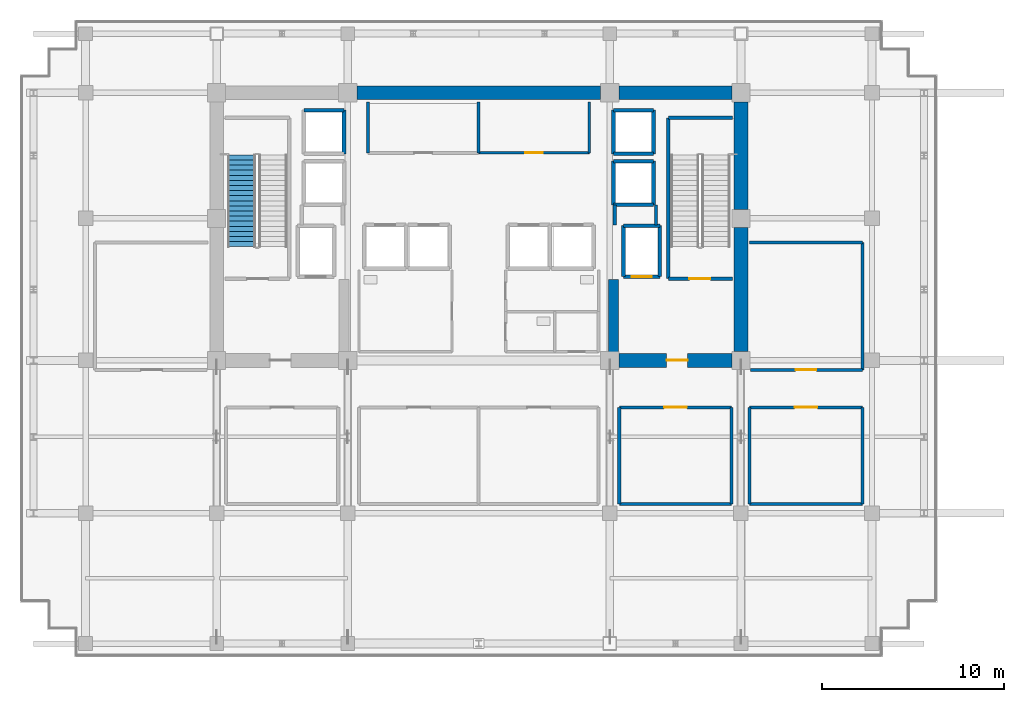
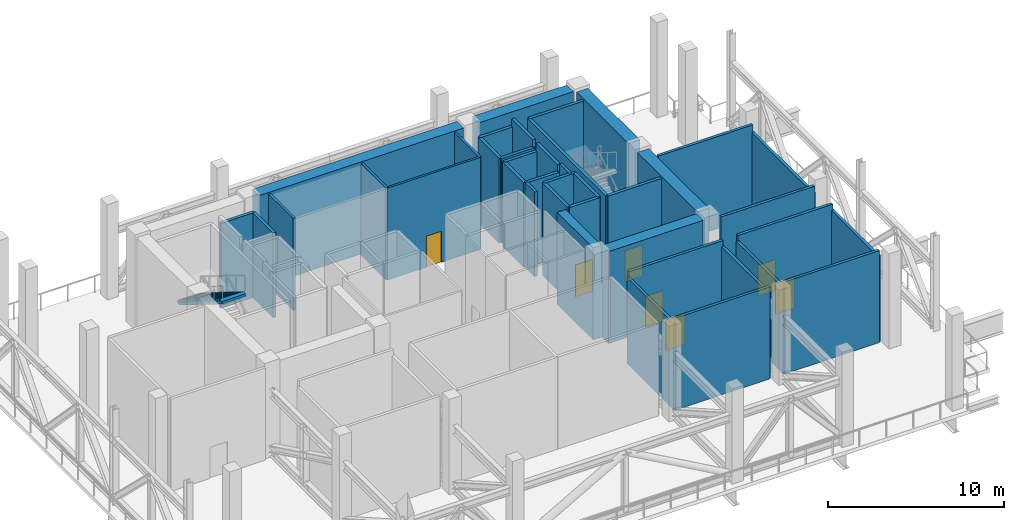
# One storey, part 7 of 13: 40 walls, 7 doors, 1 stair flight, 7 openings, 1 element without a shape of its own.
"""IFC4 building model written with IfcOpenShell, lengths in metres."""

from ifc_helpers import new_model, si_unit, direction, frame, frame_2d, origin, place, context, subcontext, project, spatial, polyline, rectangle, outline, extrude, source, transform, mapped, material, layer, layer_set, type_object, element, fill, aggregate, save


model = new_model("IFC4")

# Units and contexts
model_context = context("Model", 3, precision=1e-05, world=origin(), true_north=direction((0.0, 1.0)))
body_context = subcontext(model_context, "Body", "Model", "MODEL_VIEW")
ifc_project = project(units=[si_unit("LENGTHUNIT", "METRE"), si_unit("AREAUNIT", "SQUARE_METRE"), si_unit("VOLUMEUNIT", "CUBIC_METRE"), si_unit("PLANEANGLEUNIT", "RADIAN"), si_unit("MASSUNIT", "GRAM", prefix="KILO")], contexts=[model_context])

# Site, building, storey
site_placement = place(None, origin())
site = spatial("IfcSite", under=ifc_project, at=site_placement, CompositionType="ELEMENT")
building_placement = place(site_placement, origin())
building = spatial("IfcBuilding", under=site, at=building_placement, Name="Zarnakvel Exchange Tower", CompositionType="ELEMENT")
storey_placement = place(building_placement, frame((0.0, 0.0, 139.60009765625)))
storey = spatial("IfcBuildingStorey", under=building, at=storey_placement, Name="L39", CompositionType="ELEMENT", Elevation=139.60009765625)

# Walls
ifc_material_1 = material(Name="Concrete C60/75", Category="concrete")
ifc_layer_1 = layer(ifc_material_1, 0.75)
ifc_layer_set_1 = layer_set([ifc_layer_1], Name="Concrete C60/75")
wall_type_1 = type_object("IfcWallType", Name="CW-C3", PredefinedType="SHEAR", material=ifc_layer_set_1)
wall_1_placement = place(storey_placement, frame((-6.699951171875, 13.5, 0.0), z_axis=(0.0, 0.0, 1.0), x_axis=(1.0, 0.0, 0.0)))
element("IfcWall", 1, at=wall_1_placement, inside=storey, type_object=wall_type_1, Name="L39 Rear Core Shear Wall N2 (CW-C3)", PredefinedType="SHEAR", context=body_context, shape_type="SweptSolid", body=[
    extrude(rectangle(XDim=13.39990234375, YDim=0.75, at=frame_2d((6.699951171875, 0.0))), origin(), (0.0, 0.0, 1.0), 6.375),
])
wall_2_placement = place(storey_placement, frame((7.699951171875, 13.5, 0.0), z_axis=(0.0, 0.0, 1.0), x_axis=(1.0, 0.0, 0.0)))
element("IfcWall", 2, at=wall_2_placement, inside=storey, type_object=wall_type_1, Name="L39 Rear Core Shear Wall N3 (CW-C3)", PredefinedType="SHEAR", context=body_context, shape_type="SweptSolid", body=[
    extrude(rectangle(XDim=6.199951171875, YDim=0.75, at=frame_2d((3.10009765625, 0.0))), origin(), (0.0, 0.0, 1.0), 6.375),
])
wall_3_placement = place(storey_placement, frame((14.39990234375, -0.699951171875, 0.0), z_axis=(0.0, 0.0, 1.0), x_axis=(0.0, 1.0, 0.0)))
element("IfcWall", 3, at=wall_3_placement, inside=storey, type_object=wall_type_1, Name="L39 Rear Core Shear Wall E1 (CW-C3)", PredefinedType="SHEAR", context=body_context, shape_type="SweptSolid", body=[
    extrude(rectangle(XDim=6.800048828125, YDim=0.75, at=frame_2d((3.39990234375, 0.0))), origin(), (0.0, 0.0, 1.0), 6.375),
])
wall_4_placement = place(storey_placement, frame((14.39990234375, 7.10009765625, 0.0), z_axis=(0.0, 0.0, 1.0), x_axis=(0.0, 1.0, 0.0)))
element("IfcWall", 4, at=wall_4_placement, inside=storey, type_object=wall_type_1, Name="L39 Rear Core Shear Wall E2 (CW-C3)", PredefinedType="SHEAR", context=body_context, shape_type="SweptSolid", body=[
    extrude(rectangle(XDim=5.89990234375, YDim=0.75, at=frame_2d((2.949951171875, 0.0))), origin(), (0.0, 0.0, 1.0), 6.375),
])

# Wall, opening, door
wall_5_placement = place(storey_placement, frame((13.89990234375, -1.199951171875, 0.0), z_axis=(0.0, 0.0, 1.0), x_axis=(-1.0, 0.0, 0.0)))
wall_5 = element("IfcWall", 5, at=wall_5_placement, inside=storey, type_object=wall_type_1, Name="L39 Rear Core Shear Wall SE (CW-C3)", PredefinedType="SHEAR", context=body_context, shape_type="SweptSolid", body=[
    extrude(rectangle(XDim=6.199951171875, YDim=0.75, at=frame_2d((3.10009765625, 0.0))), origin(), (0.0, 0.0, 1.0), 6.375),
])
opening_1_placement = place(wall_5_placement, frame((2.425048828125, 0.0, 0.0)))
opening_1 = element("IfcOpeningElement", 6, at=opening_1_placement, cuts=wall_5, Name="Opening D-L39-04", PredefinedType="OPENING", context=body_context, shape_type="SweptSolid", body=[
    extrude(rectangle(XDim=1.14990234375, YDim=2.14990234375, at=frame_2d((0.574951171875, 1.074951171875))), frame((0.0, 0.385009765625, 0.0), z_axis=(0.0, -1.0, 0.0), x_axis=(1.0, 0.0, 0.0)), (0.0, 0.0, 1.0), 0.77001953125),
])
ifc_material_2 = material(Name="Painted Galvanised Steel S355", Category="steel")
door_type_1 = type_object("IfcDoorType", Name="DT-04", OperationType="NOTDEFINED", PredefinedType="DOOR", material=ifc_material_2)
shared_shape_1 = source(origin(), body_context, "Body", "SweptSolid", [
    extrude(rectangle(XDim=1.14990234375, YDim=2.14990234375, at=frame_2d((0.574951171875, 1.074951171875))), frame((0.0, 0.02490234375, 0.0), z_axis=(0.0, -1.0, 0.0), x_axis=(1.0, 0.0, 0.0)), (0.0, 0.0, 1.0), 0.050048828125),
])
door_1_placement = place(opening_1_placement, origin())
door_1 = element("IfcDoor", 7, at=door_1_placement, inside=storey, type_object=door_type_1, Name="L39 Firefighting Lobby East Door D-L39-04", OperationType="SINGLE_SWING_RIGHT", OverallHeight=2.14990234375, OverallWidth=1.14990234375, PredefinedType="DOOR", context=body_context, shape_type="MappedRepresentation", body=[
    mapped(shared_shape_1, transform((0.0, 0.0, 0.0), x_axis=(1.0, 0.0, 0.0), y_axis=(0.0, 1.0, 0.0), z_axis=(0.0, 0.0, 1.0), scale=1.0)),
])
fill(opening_1, door_1)

# Walls
ifc_layer_2 = layer(ifc_material_1, 0.550048828125)
ifc_layer_set_2 = layer_set([ifc_layer_2], Name="Concrete C60/75")
wall_type_2 = type_object("IfcWallType", Name="CW-C4", PredefinedType="SHEAR", material=ifc_layer_set_2)
wall_6_placement = place(storey_placement, frame((7.39990234375, -0.824951171875, 0.0), z_axis=(0.0, 0.0, 1.0), x_axis=(0.0, 1.0, 0.0)))
element("IfcWall", 8, at=wall_6_placement, inside=storey, type_object=wall_type_2, Name="L39 Rear Core Shear Wall IE (CW-C4)", PredefinedType="SHEAR", context=body_context, shape_type="SweptSolid", body=[
    extrude(rectangle(XDim=4.074951171875, YDim=0.550048828125, at=frame_2d((2.03759765625, 0.0))), origin(), (0.0, 0.0, 1.0), 6.375),
])
ifc_material_3 = material(Name="Fire-Rated Gypsum Stud Partition", Category="gypsum")
ifc_layer_3 = layer(ifc_material_3, 0.14990234375)
ifc_layer_set_3 = layer_set([ifc_layer_3], Name="Fire-Rated Gypsum Stud Partition")
wall_type_3 = type_object("IfcWallType", Name="PT-01", PredefinedType="PARTITIONING", material=ifc_layer_set_3)
for number, where, z_axis, x_axis, name in (
    (9, (-6.080078125, 10.199951171875, 0.0), (0.0, 0.0, 1.0), (0.0, 1.0, 0.0), "L39 Partition Wall PWALL-L39-012 (PT-01)"),
    (10, (-0.02001953125, 13.0, 0.0), (0.0, 0.0, 1.0), (0.0, -1.0, 0.0), "L39 Partition Wall PWALL-L39-013 (PT-01)"),
):
    element("IfcWall", number, at=place(storey_placement, frame(where, z_axis=z_axis, x_axis=x_axis)), inside=storey, type_object=wall_type_3, Name=name, PredefinedType="PARTITIONING", context=body_context, shape_type="SweptSolid", body=[
        extrude(rectangle(XDim=2.800048828125, YDim=0.14990234375, at=frame_2d((1.39990234375, 0.0))), origin(), (0.0, 0.0, 1.0), 6.375),
    ])
ifc_layer_4 = layer(ifc_material_3, 0.179931640625)
ifc_layer_set_4 = layer_set([ifc_layer_4], Name="Fire-Rated Gypsum Stud Partition")
wall_type_4 = type_object("IfcWallType", Name="PT-02", PredefinedType="PARTITIONING", material=ifc_layer_set_4)
wall_7_placement = place(storey_placement, frame((7.469970703125, 6.239990234375, 0.0), z_axis=(0.0, 0.0, 1.0), x_axis=(0.0, 1.0, 0.0)))
element("IfcWall", 11, at=wall_7_placement, inside=storey, type_object=wall_type_4, Name="L39 Partition Wall PWALL-L39-009 (PT-02)", PredefinedType="PARTITIONING", context=body_context, shape_type="SweptSolid", body=[
    extrude(rectangle(XDim=1.090087890625, YDim=0.179931640625, at=frame_2d((0.544921875, 0.0))), origin(), (0.0, 0.0, 1.0), 5.864990234375),
])
wall_8_placement = place(storey_placement, frame((9.72998046875, 7.330078125, 0.0), z_axis=(0.0, 0.0, 1.0), x_axis=(0.0, -1.0, 0.0)))
element("IfcWall", 12, at=wall_8_placement, inside=storey, type_object=wall_type_4, Name="L39 Partition Wall PWALL-L39-010 (PT-02)", PredefinedType="PARTITIONING", context=body_context, shape_type="SweptSolid", body=[
    extrude(rectangle(XDim=1.090087890625, YDim=0.179931640625, at=frame_2d((0.544921875, 0.0))), origin(), (0.0, 0.0, 1.0), 6.375),
])

# Wall, opening, door
wall_9_placement = place(storey_placement, frame((21.080078125, -1.719970703125, 0.0), z_axis=(0.0, 0.0, 1.0), x_axis=(-1.0, 0.0, 0.0)))
wall_9 = element("IfcWall", 13, at=wall_9_placement, inside=storey, type_object=wall_type_4, Name="L39 Partition Wall PWALL-L39-030 (PT-02)", PredefinedType="PARTITIONING", context=body_context, shape_type="SweptSolid", body=[
    extrude(rectangle(XDim=6.16015625, YDim=0.179931640625, at=frame_2d((3.080078125, 0.0))), origin(), (0.0, 0.0, 1.0), 6.375),
])
opening_2_placement = place(wall_9_placement, frame((2.530029296875, 0.0, 0.0)))
opening_2 = element("IfcOpeningElement", 14, at=opening_2_placement, cuts=wall_9, Name="Opening D-L39-12", PredefinedType="OPENING", context=body_context, shape_type="SweptSolid", body=[
    extrude(rectangle(XDim=1.14990234375, YDim=2.14990234375, at=frame_2d((0.574951171875, 1.074951171875))), frame((0.0, 0.099853515625, 0.0), z_axis=(0.0, -1.0, 0.0), x_axis=(1.0, 0.0, 0.0)), (0.0, 0.0, 1.0), 0.199951171875),
])
door_2_placement = place(opening_2_placement, origin())
door_2 = element("IfcDoor", 15, at=door_2_placement, inside=storey, type_object=door_type_1, Name="L39 L39 Protected Refuge Area East Door D-L39-12", OperationType="SINGLE_SWING_RIGHT", OverallHeight=2.14990234375, OverallWidth=1.14990234375, PredefinedType="DOOR", context=body_context, shape_type="MappedRepresentation", body=[
    mapped(shared_shape_1, transform((0.0, 0.0, 0.0), x_axis=(1.0, 0.0, 0.0), y_axis=(0.0, 1.0, 0.0), z_axis=(0.0, 0.0, 1.0), scale=1.0)),
])
fill(opening_2, door_2)

# Walls
wall_10_placement = place(storey_placement, frame((14.8701171875, 5.280029296875, 0.0), z_axis=(0.0, 0.0, 1.0), x_axis=(1.0, 0.0, 0.0)))
element("IfcWall", 16, at=wall_10_placement, inside=storey, type_object=wall_type_4, Name="L39 Partition Wall PWALL-L39-031 (PT-02)", PredefinedType="PARTITIONING", context=body_context, shape_type="SweptSolid", body=[
    extrude(rectangle(XDim=6.2099609375, YDim=0.179931640625, at=frame_2d((3.10498046875, 0.0))), origin(), (0.0, 0.0, 1.0), 6.375),
])
wall_11_placement = place(storey_placement, frame((21.080078125, 5.280029296875, 0.0), z_axis=(0.0, 0.0, 1.0), x_axis=(0.0, -1.0, 0.0)))
element("IfcWall", 17, at=wall_11_placement, inside=storey, type_object=wall_type_4, Name="L39 Partition Wall PWALL-L39-032 (PT-02)", PredefinedType="PARTITIONING", context=body_context, shape_type="SweptSolid", body=[
    extrude(rectangle(XDim=7.0, YDim=0.179931640625, at=frame_2d((3.5, 0.0))), origin(), (0.0, 0.0, 1.0), 5.864990234375),
])
wall_12_placement = place(storey_placement, frame((13.8798828125, -9.080078125, 0.0), z_axis=(0.0, 0.0, 1.0), x_axis=(-1.0, 0.0, 0.0)))
element("IfcWall", 18, at=wall_12_placement, inside=storey, type_object=wall_type_4, Name="L39 Partition Wall PWALL-L39-044 (PT-02)", PredefinedType="PARTITIONING", context=body_context, shape_type="SweptSolid", body=[
    extrude(rectangle(XDim=6.159912109375, YDim=0.179931640625, at=frame_2d((3.080078125, 0.0))), origin(), (0.0, 0.0, 1.0), 6.375),
])

# Wall, opening, door
wall_13_placement = place(storey_placement, frame((7.719970703125, -3.780029296875, 0.0), z_axis=(0.0, 0.0, 1.0), x_axis=(1.0, 0.0, 0.0)))
wall_13 = element("IfcWall", 19, at=wall_13_placement, inside=storey, type_object=wall_type_4, Name="L39 Partition Wall PWALL-L39-045 (PT-02)", PredefinedType="PARTITIONING", context=body_context, shape_type="SweptSolid", body=[
    extrude(rectangle(XDim=6.159912109375, YDim=0.179931640625, at=frame_2d((3.080078125, 0.0))), origin(), (0.0, 0.0, 1.0), 6.375),
])
opening_3_placement = place(wall_13_placement, frame((2.455078125, 0.0, 0.0)))
opening_3 = element("IfcOpeningElement", 20, at=opening_3_placement, cuts=wall_13, Name="Opening D-L39-16", PredefinedType="OPENING", context=body_context, shape_type="SweptSolid", body=[
    extrude(rectangle(XDim=1.25, YDim=2.14990234375, at=frame_2d((0.625, 1.074951171875))), frame((0.0, 0.099853515625, 0.0), z_axis=(0.0, -1.0, 0.0), x_axis=(1.0, 0.0, 0.0)), (0.0, 0.0, 1.0), 0.199951171875),
])
door_type_2 = type_object("IfcDoorType", Name="DT-06", OperationType="NOTDEFINED", PredefinedType="DOOR", material=ifc_material_2)
shared_shape_2 = source(origin(), body_context, "Body", "SweptSolid", [
    extrude(rectangle(XDim=1.25, YDim=2.14990234375, at=frame_2d((0.625, 1.074951171875))), frame((0.0, 0.02490234375, 0.0), z_axis=(0.0, -1.0, 0.0), x_axis=(1.0, 0.0, 0.0)), (0.0, 0.0, 1.0), 0.050048828125),
])
door_3_placement = place(opening_3_placement, origin())
door_3 = element("IfcDoor", 21, at=door_3_placement, inside=storey, type_object=door_type_2, Name="L39 L39 HV Zone Substation Plant Room Door D-L39-16", OperationType="SINGLE_SWING_RIGHT", OverallHeight=2.14990234375, OverallWidth=1.25, PredefinedType="DOOR", context=body_context, shape_type="MappedRepresentation", body=[
    mapped(shared_shape_2, transform((0.0, 0.0, 0.0), x_axis=(1.0, 0.0, 0.0), y_axis=(0.0, 1.0, 0.0), z_axis=(0.0, 0.0, 1.0), scale=1.0)),
])
fill(opening_3, door_3)

# Walls
for number, where, z_axis, x_axis, name in (
    (22, (7.719970703125, -9.080078125, 0.0), (0.0, 0.0, 1.0), (0.0, 1.0, 0.0), "L39 Partition Wall PWALL-L39-046 (PT-02)"),
    (23, (13.8798828125, -3.780029296875, 0.0), (0.0, 0.0, 1.0), (0.0, -1.0, 0.0), "L39 Partition Wall PWALL-L39-047 (PT-02)"),
):
    element("IfcWall", number, at=place(storey_placement, frame(where, z_axis=z_axis, x_axis=x_axis)), inside=storey, type_object=wall_type_4, Name=name, PredefinedType="PARTITIONING", context=body_context, shape_type="SweptSolid", body=[
        extrude(rectangle(XDim=5.300048828125, YDim=0.179931640625, at=frame_2d((2.64990234375, 0.0))), origin(), (0.0, 0.0, 1.0), 5.96484375),
    ])
wall_14_placement = place(storey_placement, frame((21.080078125, -9.080078125, 0.0), z_axis=(0.0, 0.0, 1.0), x_axis=(-1.0, 0.0, 0.0)))
element("IfcWall", 24, at=wall_14_placement, inside=storey, type_object=wall_type_4, Name="L39 Partition Wall PWALL-L39-048 (PT-02)", PredefinedType="PARTITIONING", context=body_context, shape_type="SweptSolid", body=[
    extrude(rectangle(XDim=6.2099609375, YDim=0.179931640625, at=frame_2d((3.10498046875, 0.0))), origin(), (0.0, 0.0, 1.0), 6.375),
])

# Wall, opening, door
wall_15_placement = place(storey_placement, frame((14.8701171875, -3.780029296875, 0.0), z_axis=(0.0, 0.0, 1.0), x_axis=(1.0, 0.0, 0.0)))
wall_15 = element("IfcWall", 25, at=wall_15_placement, inside=storey, type_object=wall_type_4, Name="L39 Partition Wall PWALL-L39-049 (PT-02)", PredefinedType="PARTITIONING", context=body_context, shape_type="SweptSolid", body=[
    extrude(rectangle(XDim=6.2099609375, YDim=0.179931640625, at=frame_2d((3.10498046875, 0.0))), origin(), (0.0, 0.0, 1.0), 6.375),
])
opening_4_placement = place(wall_15_placement, frame((2.47998046875, 0.0, 0.0)))
opening_4 = element("IfcOpeningElement", 26, at=opening_4_placement, cuts=wall_15, Name="Opening D-L39-17", PredefinedType="OPENING", context=body_context, shape_type="SweptSolid", body=[
    extrude(rectangle(XDim=1.25, YDim=2.14990234375, at=frame_2d((0.625, 1.074951171875))), frame((0.0, 0.099853515625, 0.0), z_axis=(0.0, -1.0, 0.0), x_axis=(1.0, 0.0, 0.0)), (0.0, 0.0, 1.0), 0.199951171875),
])
door_4_placement = place(opening_4_placement, origin())
door_4 = element("IfcDoor", 27, at=door_4_placement, inside=storey, type_object=door_type_2, Name="L39 L39 BMS and Smoke-Extract Plant Room Door D-L39-17", OperationType="SINGLE_SWING_LEFT", OverallHeight=2.14990234375, OverallWidth=1.25, PredefinedType="DOOR", context=body_context, shape_type="MappedRepresentation", body=[
    mapped(shared_shape_2, transform((0.0, 0.0, 0.0), x_axis=(1.0, 0.0, 0.0), y_axis=(0.0, 1.0, 0.0), z_axis=(0.0, 0.0, 1.0), scale=1.0)),
])
fill(opening_4, door_4)

# Walls
for number, where, z_axis, x_axis, name in (
    (28, (14.8701171875, -9.080078125, 0.0), (0.0, 0.0, 1.0), (0.0, 1.0, 0.0), "L39 Partition Wall PWALL-L39-050 (PT-02)"),
    (29, (21.080078125, -3.780029296875, 0.0), (0.0, 0.0, 1.0), (0.0, -1.0, 0.0), "L39 Partition Wall PWALL-L39-051 (PT-02)"),
):
    element("IfcWall", number, at=place(storey_placement, frame(where, z_axis=z_axis, x_axis=x_axis)), inside=storey, type_object=wall_type_4, Name=name, PredefinedType="PARTITIONING", context=body_context, shape_type="SweptSolid", body=[
        extrude(rectangle(XDim=5.300048828125, YDim=0.179931640625, at=frame_2d((2.64990234375, 0.0))), origin(), (0.0, 0.0, 1.0), 5.96484375),
    ])

# Wall, opening, door
ifc_material_4 = material(Name="Moisture-Resistant Tile-Faced Partition", Category="gypsum")
ifc_layer_5 = layer(ifc_material_4, 0.135009765625)
ifc_layer_set_5 = layer_set([ifc_layer_5], Name="Moisture-Resistant Tile-Faced Partition")
wall_type_5 = type_object("IfcWallType", Name="PT-03", PredefinedType="PARTITIONING", material=ifc_layer_set_5)
wall_16_placement = place(storey_placement, frame((6.080078125, 10.199951171875, 0.0), z_axis=(0.0, 0.0, 1.0), x_axis=(-1.0, 0.0, 0.0)))
wall_16 = element("IfcWall", 30, at=wall_16_placement, inside=storey, type_object=wall_type_5, Name="L39 Partition Wall PWALL-L39-014 (PT-03)", PredefinedType="PARTITIONING", context=body_context, shape_type="SweptSolid", body=[
    extrude(rectangle(XDim=6.10009765625, YDim=0.135009765625, at=frame_2d((3.050048828125, 0.0))), origin(), (0.0, 0.0, 1.0), 6.375),
])
opening_5_placement = place(wall_16_placement, frame((2.56005859375, 0.0, 0.0)))
opening_5 = element("IfcOpeningElement", 31, at=opening_5_placement, cuts=wall_16, Name="Opening D-L39-06", PredefinedType="OPENING", context=body_context, shape_type="SweptSolid", body=[
    extrude(rectangle(XDim=0.97998046875, YDim=2.14990234375, at=frame_2d((0.489990234375, 1.074951171875))), frame((0.0, 0.077392578125, 0.0), z_axis=(0.0, -1.0, 0.0), x_axis=(1.0, 0.0, 0.0)), (0.0, 0.0, 1.0), 0.155029296875),
])
ifc_material_5 = material(Name="Timber Acoustic Veneer", Category="wood")
door_type_3 = type_object("IfcDoorType", Name="DT-05", OperationType="NOTDEFINED", PredefinedType="DOOR", material=ifc_material_5)
shared_shape_3 = source(origin(), body_context, "Body", "SweptSolid", [
    extrude(rectangle(XDim=0.97998046875, YDim=2.14990234375, at=frame_2d((0.489990234375, 1.074951171875))), frame((0.0, 0.02490234375, 0.0), z_axis=(0.0, -1.0, 0.0), x_axis=(1.0, 0.0, 0.0)), (0.0, 0.0, 1.0), 0.050048828125),
])
door_5_placement = place(opening_5_placement, origin())
door_5 = element("IfcDoor", 32, at=door_5_placement, inside=storey, type_object=door_type_3, Name="L39 Staff Refreshment Pantry Door D-L39-06", OperationType="SINGLE_SWING_RIGHT", OverallHeight=2.14990234375, OverallWidth=0.97998046875, PredefinedType="DOOR", context=body_context, shape_type="MappedRepresentation", body=[
    mapped(shared_shape_3, transform((0.0, 0.0, 0.0), x_axis=(1.0, 0.0, 0.0), y_axis=(0.0, 1.0, 0.0), z_axis=(0.0, 0.0, 1.0), scale=1.0)),
])
fill(opening_5, door_5)

# Wall
wall_17_placement = place(storey_placement, frame((6.080078125, 13.0, 0.0), z_axis=(0.0, 0.0, 1.0), x_axis=(0.0, -1.0, 0.0)))
element("IfcWall", 33, at=wall_17_placement, inside=storey, type_object=wall_type_5, Name="L39 Partition Wall PWALL-L39-015 (PT-03)", PredefinedType="PARTITIONING", context=body_context, shape_type="SweptSolid", body=[
    extrude(rectangle(XDim=2.800048828125, YDim=0.135009765625, at=frame_2d((1.39990234375, 0.0))), origin(), (0.0, 0.0, 1.0), 6.375),
])

# Wall, opening, door
ifc_material_6 = material(Name="Concrete C40/50", Category="concrete")
ifc_layer_6 = layer(ifc_material_6, 0.199951171875)
ifc_layer_set_6 = layer_set([ifc_layer_6], Name="Concrete C40/50")
wall_type_6 = type_object("IfcWallType", Name="SW-01", PredefinedType="SOLIDWALL", material=ifc_layer_set_6)
wall_18_placement = place(storey_placement, frame((9.949951171875, 3.39990234375, 0.0), z_axis=(0.0, 0.0, 1.0), x_axis=(-1.0, 0.0, 0.0)))
wall_18 = element("IfcWall", 34, at=wall_18_placement, inside=storey, type_object=wall_type_6, Name="L39 FL-02 Hoistway Wall South", PredefinedType="SOLIDWALL", context=body_context, shape_type="SweptSolid", body=[
    extrude(rectangle(XDim=2.0, YDim=0.199951171875, at=frame_2d((1.0, 0.0))), origin(), (0.0, 0.0, 1.0), 6.375),
])
opening_6_placement = place(wall_18_placement, frame((0.449951171875, 0.0, 0.0)))
opening_6 = element("IfcOpeningElement", 35, at=opening_6_placement, cuts=wall_18, Name="Opening LD-FL-02-L39", PredefinedType="OPENING", context=body_context, shape_type="SweptSolid", body=[
    extrude(rectangle(XDim=1.10009765625, YDim=2.199951171875, at=frame_2d((0.550048828125, 1.10009765625))), frame((0.0, 0.10986328125, 0.0), z_axis=(0.0, -1.0, 0.0), x_axis=(1.0, 0.0, 0.0)), (0.0, 0.0, 1.0), 0.219970703125),
])
ifc_material_7 = material(Name="Brushed Stainless Steel", Category="steel")
door_type_4 = type_object("IfcDoorType", Name="LDT-01", OperationType="NOTDEFINED", PredefinedType="DOOR", material=ifc_material_7)
shared_shape_4 = source(origin(), body_context, "Body", "SweptSolid", [
    extrude(rectangle(XDim=1.10009765625, YDim=2.199951171875, at=frame_2d((0.550048828125, 1.10009765625))), frame((0.0, 0.02490234375, 0.0), z_axis=(0.0, -1.0, 0.0), x_axis=(1.0, 0.0, 0.0)), (0.0, 0.0, 1.0), 0.050048828125),
])
door_6_placement = place(opening_6_placement, origin())
door_6 = element("IfcDoor", 36, at=door_6_placement, inside=storey, type_object=door_type_4, Name="L39 FL-02 Lift Landing Door LD-FL-02-L39", OperationType="DOUBLE_DOOR_SLIDING", OverallHeight=2.199951171875, OverallWidth=1.10009765625, PredefinedType="DOOR", context=body_context, shape_type="MappedRepresentation", body=[
    mapped(shared_shape_4, transform((0.0, 0.0, 0.0), x_axis=(1.0, 0.0, 0.0), y_axis=(0.0, 1.0, 0.0), z_axis=(0.0, 0.0, 1.0), scale=1.0)),
])
fill(opening_6, door_6)

# Walls
wall_19_placement = place(storey_placement, frame((7.949951171875, 6.199951171875, 0.0), z_axis=(0.0, 0.0, 1.0), x_axis=(1.0, 0.0, 0.0)))
element("IfcWall", 37, at=wall_19_placement, inside=storey, type_object=wall_type_6, Name="L39 FL-02 Hoistway Wall North", PredefinedType="SOLIDWALL", context=body_context, shape_type="SweptSolid", body=[
    extrude(rectangle(XDim=2.0, YDim=0.199951171875, at=frame_2d((1.0, 0.0))), origin(), (0.0, 0.0, 1.0), 6.375),
])
for number, where, z_axis, x_axis, name in (
    (38, (7.949951171875, 3.39990234375, 0.0), (0.0, 0.0, 1.0), (0.0, 1.0, 0.0), "L39 FL-02 Hoistway Wall West"),
    (39, (9.949951171875, 6.199951171875, 0.0), (0.0, 0.0, 1.0), (0.0, -1.0, 0.0), "L39 FL-02 Hoistway Wall East"),
):
    element("IfcWall", number, at=place(storey_placement, frame(where, z_axis=z_axis, x_axis=x_axis)), inside=storey, type_object=wall_type_6, Name=name, PredefinedType="SOLIDWALL", context=body_context, shape_type="SweptSolid", body=[
        extrude(rectangle(XDim=2.800048828125, YDim=0.199951171875, at=frame_2d((1.39990234375, 0.0))), origin(), (0.0, 0.0, 1.0), 6.375),
    ])
wall_20_placement = place(storey_placement, frame((-9.60009765625, 12.550048828125, 0.0), z_axis=(0.0, 0.0, 1.0), x_axis=(1.0, 0.0, 0.0)))
element("IfcWall", 40, at=wall_20_placement, inside=storey, type_object=wall_type_6, Name="L39 PL-10 Hoistway Wall North", PredefinedType="SOLIDWALL", context=body_context, shape_type="SweptSolid", body=[
    extrude(rectangle(XDim=2.2001953125, YDim=0.199951171875, at=frame_2d((1.10009765625, 0.0))), origin(), (0.0, 0.0, 1.0), 5.864990234375),
])
wall_21_placement = place(storey_placement, frame((-7.39990234375, 12.550048828125, 0.0), z_axis=(0.0, 0.0, 1.0), x_axis=(0.0, -1.0, 0.0)))
element("IfcWall", 41, at=wall_21_placement, inside=storey, type_object=wall_type_6, Name="L39 PL-10 Hoistway Wall East", PredefinedType="SOLIDWALL", context=body_context, shape_type="SweptSolid", body=[
    extrude(rectangle(XDim=2.400146484375, YDim=0.199951171875, at=frame_2d((1.2001953125, 0.0))), origin(), (0.0, 0.0, 1.0), 5.864990234375),
])
for number, where, z_axis, x_axis, name in (
    (42, (9.60009765625, 7.35009765625, 0.0), (0.0, 0.0, 1.0), (-1.0, 0.0, 0.0), "L39 PL-11 Hoistway Wall South"),
    (43, (7.39990234375, 9.75, 0.0), (0.0, 0.0, 1.0), (1.0, 0.0, 0.0), "L39 PL-11 Hoistway Wall North"),
):
    element("IfcWall", number, at=place(storey_placement, frame(where, z_axis=z_axis, x_axis=x_axis)), inside=storey, type_object=wall_type_6, Name=name, PredefinedType="SOLIDWALL", context=body_context, shape_type="SweptSolid", body=[
        extrude(rectangle(XDim=2.2001953125, YDim=0.199951171875, at=frame_2d((1.10009765625, 0.0))), origin(), (0.0, 0.0, 1.0), 5.864990234375),
    ])
wall_22_placement = place(storey_placement, frame((7.39990234375, 7.35009765625, 0.0), z_axis=(0.0, 0.0, 1.0), x_axis=(0.0, 1.0, 0.0)))
element("IfcWall", 44, at=wall_22_placement, inside=storey, type_object=wall_type_6, Name="L39 PL-11 Hoistway Wall West", PredefinedType="SOLIDWALL", context=body_context, shape_type="SweptSolid", body=[
    extrude(rectangle(XDim=2.39990234375, YDim=0.199951171875, at=frame_2d((1.199951171875, 0.0))), origin(), (0.0, 0.0, 1.0), 5.864990234375),
])
wall_23_placement = place(storey_placement, frame((9.60009765625, 9.75, 0.0), z_axis=(0.0, 0.0, 1.0), x_axis=(0.0, -1.0, 0.0)))
element("IfcWall", 45, at=wall_23_placement, inside=storey, type_object=wall_type_6, Name="L39 PL-11 Hoistway Wall East", PredefinedType="SOLIDWALL", context=body_context, shape_type="SweptSolid", body=[
    extrude(rectangle(XDim=2.39990234375, YDim=0.199951171875, at=frame_2d((1.199951171875, 0.0))), origin(), (0.0, 0.0, 1.0), 6.375),
])
for number, where, z_axis, x_axis, name in (
    (46, (9.60009765625, 10.14990234375, 0.0), (0.0, 0.0, 1.0), (-1.0, 0.0, 0.0), "L39 PL-12 Hoistway Wall South"),
    (47, (7.39990234375, 12.550048828125, 0.0), (0.0, 0.0, 1.0), (1.0, 0.0, 0.0), "L39 PL-12 Hoistway Wall North"),
):
    element("IfcWall", number, at=place(storey_placement, frame(where, z_axis=z_axis, x_axis=x_axis)), inside=storey, type_object=wall_type_6, Name=name, PredefinedType="SOLIDWALL", context=body_context, shape_type="SweptSolid", body=[
        extrude(rectangle(XDim=2.2001953125, YDim=0.199951171875, at=frame_2d((1.10009765625, 0.0))), origin(), (0.0, 0.0, 1.0), 5.864990234375),
    ])
wall_24_placement = place(storey_placement, frame((7.39990234375, 10.14990234375, 0.0), z_axis=(0.0, 0.0, 1.0), x_axis=(0.0, 1.0, 0.0)))
element("IfcWall", 48, at=wall_24_placement, inside=storey, type_object=wall_type_6, Name="L39 PL-12 Hoistway Wall West", PredefinedType="SOLIDWALL", context=body_context, shape_type="SweptSolid", body=[
    extrude(rectangle(XDim=2.400146484375, YDim=0.199951171875, at=frame_2d((1.2001953125, 0.0))), origin(), (0.0, 0.0, 1.0), 5.864990234375),
])
wall_25_placement = place(storey_placement, frame((9.60009765625, 12.550048828125, 0.0), z_axis=(0.0, 0.0, 1.0), x_axis=(0.0, -1.0, 0.0)))
element("IfcWall", 49, at=wall_25_placement, inside=storey, type_object=wall_type_6, Name="L39 PL-12 Hoistway Wall East", PredefinedType="SOLIDWALL", context=body_context, shape_type="SweptSolid", body=[
    extrude(rectangle(XDim=2.400146484375, YDim=0.199951171875, at=frame_2d((1.2001953125, 0.0))), origin(), (0.0, 0.0, 1.0), 6.375),
])

# Wall, opening, door
ifc_layer_7 = layer(ifc_material_6, 0.199951171875)
ifc_layer_set_7 = layer_set([ifc_layer_7], Name="Concrete C40/50")
wall_type_7 = type_object("IfcWallType", Name="SW-02", PredefinedType="SOLIDWALL", material=ifc_layer_set_7)
wall_26_placement = place(storey_placement, frame((13.929931640625, 3.2900390625, 0.0), z_axis=(0.0, 0.0, 1.0), x_axis=(-1.0, 0.0, 0.0)))
wall_26 = element("IfcWall", 50, at=wall_26_placement, inside=storey, type_object=wall_type_7, Name="L39 Stairwell Core Wall PWALL-L39-004 (SW-02)", PredefinedType="SOLIDWALL", context=body_context, shape_type="SweptSolid", body=[
    extrude(rectangle(XDim=3.52001953125, YDim=0.199951171875, at=frame_2d((1.760009765625, 0.0))), origin(), (0.0, 0.0, 1.0), 6.375),
])
opening_7_placement = place(wall_26_placement, frame((1.205078125, 0.0, 0.0)))
opening_7 = element("IfcOpeningElement", 51, at=opening_7_placement, cuts=wall_26, Name="Opening D-L39-02", PredefinedType="OPENING", context=body_context, shape_type="SweptSolid", body=[
    extrude(rectangle(XDim=1.14990234375, YDim=2.14990234375, at=frame_2d((0.574951171875, 1.074951171875))), frame((0.0, 0.10986328125, 0.0), z_axis=(0.0, -1.0, 0.0), x_axis=(1.0, 0.0, 0.0)), (0.0, 0.0, 1.0), 0.219970703125),
])
door_7_placement = place(opening_7_placement, origin())
door_7 = element("IfcDoor", 52, at=door_7_placement, inside=storey, type_object=door_type_1, Name="L39 Stairwell ST-02 Door D-L39-02", OperationType="SINGLE_SWING_RIGHT", OverallHeight=2.14990234375, OverallWidth=1.14990234375, PredefinedType="DOOR", context=body_context, shape_type="MappedRepresentation", body=[
    mapped(shared_shape_1, transform((0.0, 0.0, 0.0), x_axis=(1.0, 0.0, 0.0), y_axis=(0.0, 1.0, 0.0), z_axis=(0.0, 0.0, 1.0), scale=1.0)),
])
fill(opening_7, door_7)

# Walls
wall_27_placement = place(storey_placement, frame((10.409912109375, 12.1298828125, 0.0), z_axis=(0.0, 0.0, 1.0), x_axis=(1.0, 0.0, 0.0)))
element("IfcWall", 53, at=wall_27_placement, inside=storey, type_object=wall_type_7, Name="L39 Stairwell Core Wall PWALL-L39-005 (SW-02)", PredefinedType="SOLIDWALL", context=body_context, shape_type="SweptSolid", body=[
    extrude(rectangle(XDim=3.52001953125, YDim=0.199951171875, at=frame_2d((1.760009765625, 0.0))), origin(), (0.0, 0.0, 1.0), 6.375),
])
wall_28_placement = place(storey_placement, frame((10.409912109375, 3.2900390625, 0.0), z_axis=(0.0, 0.0, 1.0), x_axis=(0.0, 1.0, 0.0)))
element("IfcWall", 54, at=wall_28_placement, inside=storey, type_object=wall_type_7, Name="L39 Stairwell Core Wall PWALL-L39-006 (SW-02)", PredefinedType="SOLIDWALL", context=body_context, shape_type="SweptSolid", body=[
    extrude(rectangle(XDim=8.83984375, YDim=0.199951171875, at=frame_2d((4.419921875, 0.0))), origin(), (0.0, 0.0, 1.0), 6.375),
])

# Stair, stair flight
stair_type = type_object("IfcStairType", Name="STR-01", PredefinedType="HALF_TURN_STAIR", material=ifc_material_6)
stair_placement = place(storey_placement, origin())
stair = element("IfcStair", 55, at=stair_placement, inside=storey, type_object=stair_type, Name="L39 Protected Core Exit Stair ST-01", PredefinedType="HALF_TURN_STAIR")
stair_flight_type = type_object("IfcStairFlightType", Name="FLT-01", PredefinedType="STRAIGHT", material=ifc_material_6)
stair_flight_placement = place(storey_placement, frame((-13.02490234375, 10.090087890625, 3.2998046875), z_axis=(0.0, 0.0, 1.0), x_axis=(0.0, -1.0, 0.0)))
stair_flight = element("IfcStairFlight", 56, at=stair_flight_placement, type_object=stair_flight_type, Name="ST-01 flight 2", NumberOfRisers=19, NumberOfTreads=18, PredefinedType="STRAIGHT", RiserHeight=0.173684211, TreadLength=0.28, context=body_context, shape_type="SweptSolid", body=[
    extrude(outline(polyline([(0.0, 0.0), (0.0, 0.173583984375), (0.280029296875, 0.173583984375), (0.280029296875, 0.347412109375), (0.56005859375, 0.347412109375), (0.56005859375, 0.52099609375), (0.840087890625, 0.52099609375), (0.840087890625, 0.69482421875), (1.1201171875, 0.69482421875), (1.1201171875, 0.868408203125), (1.39990234375, 0.868408203125), (1.39990234375, 1.0419921875), (1.679931640625, 1.0419921875), (1.679931640625, 1.2158203125), (1.9599609375, 1.2158203125), (1.9599609375, 1.389404296875), (2.239990234375, 1.389404296875), (2.239990234375, 1.563232421875), (2.52001953125, 1.563232421875), (2.52001953125, 1.73681640625), (2.800048828125, 1.73681640625), (2.800048828125, 1.91064453125), (3.080078125, 1.91064453125), (3.080078125, 2.084228515625), (3.360107421875, 2.084228515625), (3.360107421875, 2.2578125), (3.639892578125, 2.2578125), (3.639892578125, 2.431640625), (3.919921875, 2.431640625), (3.919921875, 2.605224609375), (4.199951171875, 2.605224609375), (4.199951171875, 2.779052734375), (4.47998046875, 2.779052734375), (4.47998046875, 2.95263671875), (4.760009765625, 2.95263671875), (4.760009765625, 3.126220703125), (5.0400390625, 3.126220703125), (5.0400390625, 3.300048828125), (5.0400390625, 2.949951171875), (0.284423828125, 0.0), (0.0, 0.0)])), frame((0.0, 0.77490234375, 0.0), z_axis=(0.0, -1.0, 0.0), x_axis=(1.0, 0.0, 0.0)), (0.0, 0.0, 1.0), 1.550048828125),
])
aggregate(stair, [stair_flight])

save(model, "model.ifc")
